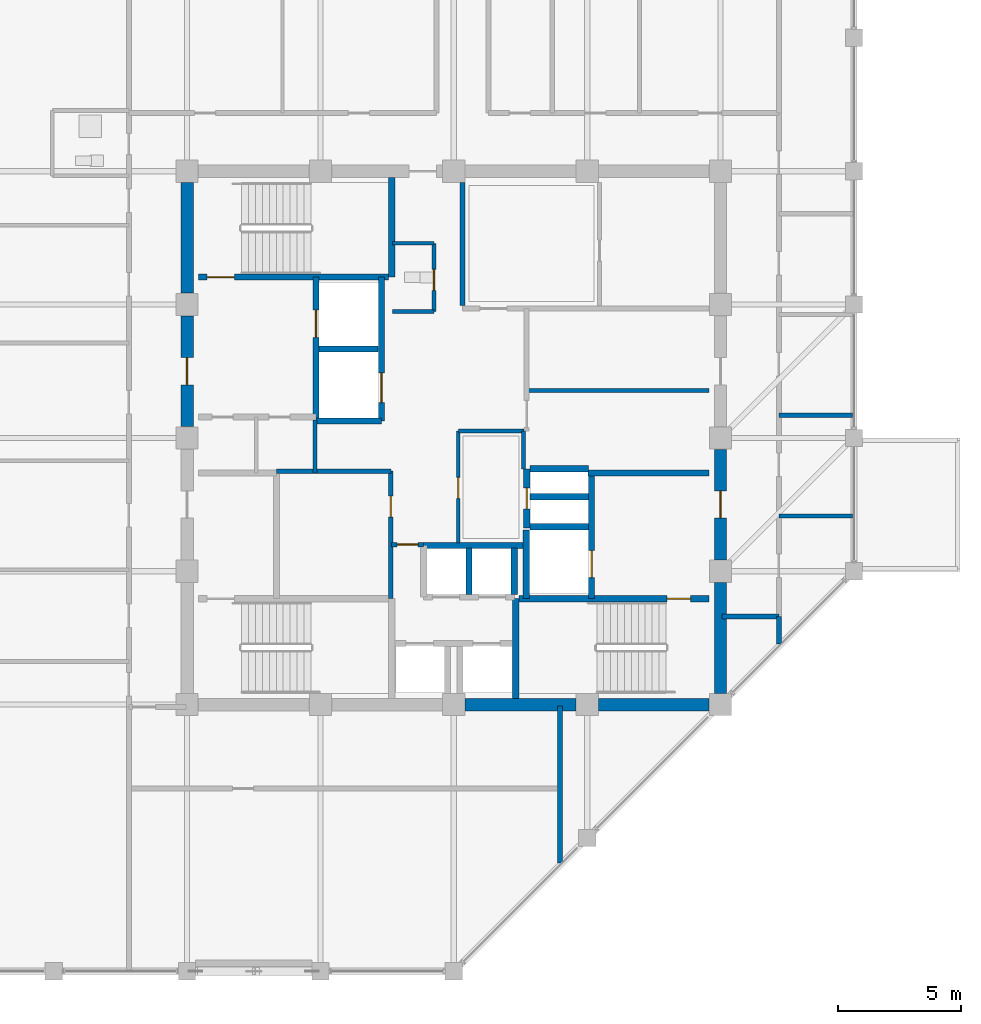
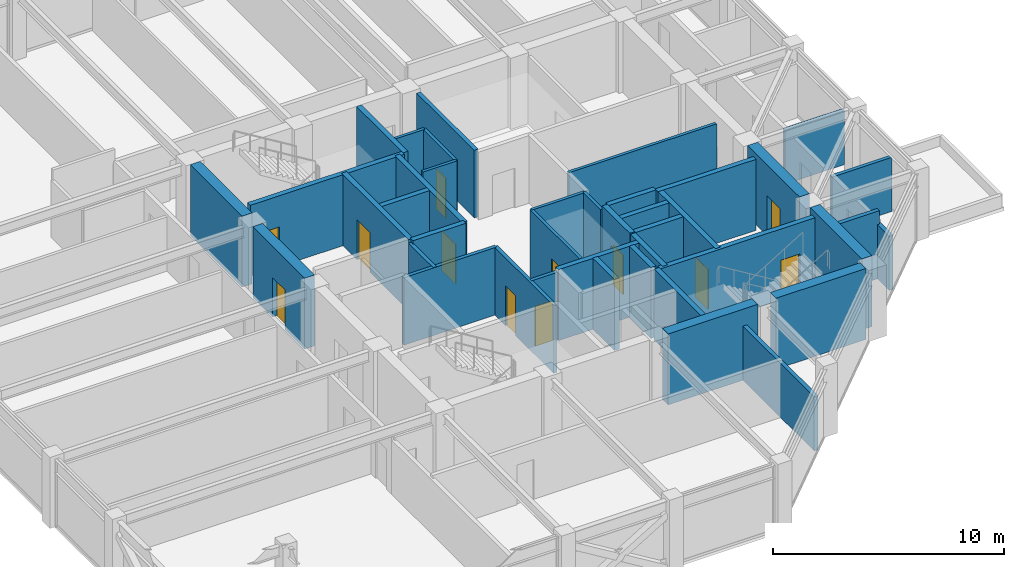
# One storey, part 25 of 29: 41 walls, 12 doors, 12 openings.
"""IFC4 building model written with IfcOpenShell, lengths in metres."""

from ifc_helpers import new_model, si_unit, direction, frame, frame_2d, origin, place, context, subcontext, project, spatial, rectangle, extrude, material, layer, layer_set, type_object, element, fill, save


model = new_model("IFC4")

# Units and contexts
model_context = context("Model", 3, precision=1e-05, world=origin(), true_north=direction((0.0, 1.0)))
body_context = subcontext(model_context, "Body", "Model", "MODEL_VIEW")
ifc_project = project(units=[si_unit("LENGTHUNIT", "METRE"), si_unit("AREAUNIT", "SQUARE_METRE"), si_unit("VOLUMEUNIT", "CUBIC_METRE"), si_unit("PLANEANGLEUNIT", "RADIAN"), si_unit("MASSUNIT", "GRAM", prefix="KILO")], contexts=[model_context])

# Site, building, storey
site_placement = place(None, origin())
site = spatial("IfcSite", under=ifc_project, at=site_placement, CompositionType="ELEMENT")
building_placement = place(site_placement, origin())
building = spatial("IfcBuilding", under=site, at=building_placement, Name="Surkhivell Harbour Commons", CompositionType="ELEMENT")
storey_placement = place(building_placement, frame((0.0, 0.0, 326.25)))
storey = spatial("IfcBuildingStorey", under=building, at=storey_placement, Name="L85", CompositionType="ELEMENT", Elevation=326.25)

# Wall
ifc_material_1 = material(Name="Concrete C50/60", Category="concrete")
ifc_layer_1 = layer(ifc_material_1, 0.5)
ifc_layer_set_1 = layer_set([ifc_layer_1], Name="Concrete C50/60")
wall_type_1 = type_object("IfcWallType", Name="WAL-CORE-500", PredefinedType="SHEAR", material=ifc_layer_set_1)
wall_1_placement = place(storey_placement, frame((10.800048828125, -10.340087890625, 0.0), z_axis=(0.0, 0.0, 1.0), x_axis=(0.0, 1.0, 0.0)))
element("IfcWall", 1, at=wall_1_placement, inside=storey, type_object=wall_type_1, Name="L85 Core Shear Wall East 1", PredefinedType="SHEAR", context=body_context, shape_type="SweptSolid", body=[
    extrude(rectangle(XDim=4.47998046875, YDim=0.5, at=frame_2d((2.239990234375, 0.0))), origin(), (0.0, 0.0, 1.0), 3.75),
])

# Wall, opening, door
wall_2_placement = place(storey_placement, frame((10.800048828125, -4.93994140625, 0.0), z_axis=(0.0, 0.0, 1.0), x_axis=(0.0, 1.0, 0.0)))
wall_2 = element("IfcWall", 2, at=wall_2_placement, inside=storey, type_object=wall_type_1, Name="L85 Core Shear Wall East 2", PredefinedType="SHEAR", context=body_context, shape_type="SweptSolid", body=[
    extrude(rectangle(XDim=4.47998046875, YDim=0.5, at=frame_2d((2.239990234375, 0.0))), origin(), (0.0, 0.0, 1.0), 3.75),
])
opening_1_placement = place(wall_2_placement, frame((1.68994140625, 0.0, 0.0)))
opening_1 = element("IfcOpeningElement", 3, at=opening_1_placement, cuts=wall_2, Name="Opening ID-1", PredefinedType="OPENING", context=body_context, shape_type="SweptSolid", body=[
    extrude(rectangle(XDim=1.10009765625, YDim=2.10009765625, at=frame_2d((0.550048828125, 1.050048828125))), frame((0.0, 0.260009765625, 0.0), z_axis=(0.0, -1.0, 0.0), x_axis=(1.0, 0.0, 0.0)), (0.0, 0.0, 1.0), 0.52001953125),
])
ifc_material_2 = material(Name="Hardwood-veneered fire-rated door leaf", Category="wood")
door_type_1 = type_object("IfcDoorType", Name="DOR-FD120-1100", OperationType="NOTDEFINED", PredefinedType="DOOR", material=ifc_material_2)
door_1_placement = place(opening_1_placement, origin())
door_1 = element("IfcDoor", 4, at=door_1_placement, inside=storey, type_object=door_type_1, Name="L85 Firefighting Lobby 2 Corridor Door", OperationType="SINGLE_SWING_RIGHT", OverallHeight=2.10009765625, OverallWidth=1.10009765625, PredefinedType="DOOR", context=body_context, shape_type="SweptSolid", body=[
    extrude(rectangle(XDim=1.10009765625, YDim=2.10009765625, at=frame_2d((0.550048828125, 1.050048828125))), frame((0.0, 0.02490234375, 0.0), z_axis=(0.0, -1.0, 0.0), x_axis=(1.0, 0.0, 0.0)), (0.0, 0.0, 1.0), 0.050048828125),
])
fill(opening_1, door_1)

# Wall
wall_3_placement = place(storey_placement, frame((0.4599609375, -10.800048828125, 0.0), z_axis=(0.0, 0.0, 1.0), x_axis=(1.0, 0.0, 0.0)))
element("IfcWall", 5, at=wall_3_placement, inside=storey, type_object=wall_type_1, Name="L85 Core Shear Wall South 3", PredefinedType="SHEAR", context=body_context, shape_type="SweptSolid", body=[
    extrude(rectangle(XDim=4.47998046875, YDim=0.5, at=frame_2d((2.239990234375, 0.0))), origin(), (0.0, 0.0, 1.0), 3.75),
])

# Wall, opening, door
wall_4_placement = place(storey_placement, frame((-10.800048828125, 0.4599609375, 0.0), z_axis=(0.0, 0.0, 1.0), x_axis=(0.0, 1.0, 0.0)))
wall_4 = element("IfcWall", 6, at=wall_4_placement, inside=storey, type_object=wall_type_1, Name="L85 Core Shear Wall West 3", PredefinedType="SHEAR", context=body_context, shape_type="SweptSolid", body=[
    extrude(rectangle(XDim=4.47998046875, YDim=0.5, at=frame_2d((2.239990234375, 0.0))), origin(), (0.0, 0.0, 1.0), 3.75),
])
opening_2_placement = place(wall_4_placement, frame((1.68994140625, 0.0, 0.0)))
opening_2 = element("IfcOpeningElement", 7, at=opening_2_placement, cuts=wall_4, Name="Opening ID-1", PredefinedType="OPENING", context=body_context, shape_type="SweptSolid", body=[
    extrude(rectangle(XDim=1.10009765625, YDim=2.10009765625, at=frame_2d((0.550048828125, 1.050048828125))), frame((0.0, 0.260009765625, 0.0), z_axis=(0.0, -1.0, 0.0), x_axis=(1.0, 0.0, 0.0)), (0.0, 0.0, 1.0), 0.52001953125),
])
door_2_placement = place(opening_2_placement, origin())
door_2 = element("IfcDoor", 8, at=door_2_placement, inside=storey, type_object=door_type_1, Name="L85 Firefighting Lobby 1 Corridor Door", OperationType="SINGLE_SWING_LEFT", OverallHeight=2.10009765625, OverallWidth=1.10009765625, PredefinedType="DOOR", context=body_context, shape_type="SweptSolid", body=[
    extrude(rectangle(XDim=1.10009765625, YDim=2.10009765625, at=frame_2d((0.550048828125, 1.050048828125))), frame((0.0, 0.02490234375, 0.0), z_axis=(0.0, -1.0, 0.0), x_axis=(1.0, 0.0, 0.0)), (0.0, 0.0, 1.0), 0.050048828125),
])
fill(opening_2, door_2)

# Walls
for number, where, z_axis, x_axis, name in (
    (9, (5.860107421875, -10.800048828125, 0.0), (0.0, 0.0, 1.0), (1.0, 0.0, 0.0), "L85 Core Shear Wall South 4"),
    (10, (-10.800048828125, 5.860107421875, 0.0), (0.0, 0.0, 1.0), (0.0, 1.0, 0.0), "L85 Core Shear Wall West 4"),
):
    element("IfcWall", number, at=place(storey_placement, frame(where, z_axis=z_axis, x_axis=x_axis)), inside=storey, type_object=wall_type_1, Name=name, PredefinedType="SHEAR", context=body_context, shape_type="SweptSolid", body=[
        extrude(rectangle(XDim=4.47998046875, YDim=0.5, at=frame_2d((2.239990234375, 0.0))), origin(), (0.0, 0.0, 1.0), 3.75),
    ])

# Wall, opening, door
ifc_material_3 = material(Name="Twin-stud acoustic fireboard partition", Category="other")
ifc_layer_2 = layer(ifc_material_3, 0.14990234375)
ifc_layer_set_2 = layer_set([ifc_layer_2], Name="Twin-stud acoustic fireboard partition")
wall_type_2 = type_object("IfcWallType", Name="WAL-INT-150", PredefinedType="PARTITIONING", material=ifc_layer_set_2)
wall_5_placement = place(storey_placement, frame((-0.800048828125, 5.1201171875, 0.0), z_axis=(0.0, 0.0, 1.0), x_axis=(0.0, 1.0, 0.0)))
wall_5 = element("IfcWall", 11, at=wall_5_placement, inside=storey, type_object=wall_type_2, Name="L85 Core Accessible WC East Wall", PredefinedType="PARTITIONING", context=body_context, shape_type="SweptSolid", body=[
    extrude(rectangle(XDim=2.759765625, YDim=0.14990234375, at=frame_2d((1.3798828125, 0.0))), origin(), (0.0, 0.0, 1.0), 3.570068359375),
])
opening_3_placement = place(wall_5_placement, frame((0.85009765625, 0.0, 0.0)))
opening_3 = element("IfcOpeningElement", 12, at=opening_3_placement, cuts=wall_5, Name="Opening ID-6", PredefinedType="OPENING", context=body_context, shape_type="SweptSolid", body=[
    extrude(rectangle(XDim=0.85009765625, YDim=2.10009765625, at=frame_2d((0.425048828125, 1.050048828125))), frame((0.0, 0.0849609375, 0.0), z_axis=(0.0, -1.0, 0.0), x_axis=(1.0, 0.0, 0.0)), (0.0, 0.0, 1.0), 0.169921875),
])
door_type_2 = type_object("IfcDoorType", Name="DOR-FD30-850", OperationType="NOTDEFINED", PredefinedType="DOOR", material=ifc_material_2)
door_3_placement = place(opening_3_placement, origin())
door_3 = element("IfcDoor", 13, at=door_3_placement, inside=storey, type_object=door_type_2, Name="L85 Floor Accessible WC Door", OperationType="SINGLE_SWING_LEFT", OverallHeight=2.10009765625, OverallWidth=0.85009765625, PredefinedType="DOOR", context=body_context, shape_type="SweptSolid", body=[
    extrude(rectangle(XDim=0.85009765625, YDim=2.10009765625, at=frame_2d((0.425048828125, 1.050048828125))), frame((0.0, 0.02490234375, 0.0), z_axis=(0.0, -1.0, 0.0), x_axis=(1.0, 0.0, 0.0)), (0.0, 0.0, 1.0), 0.050048828125),
])
fill(opening_3, door_3)

# Walls
for number, where, z_axis, x_axis, name in (
    (14, (-2.47998046875, 7.8798828125, 0.0), (0.0, 0.0, 1.0), (1.0, 0.0, 0.0), "L85 Core Accessible WC North Wall"),
    (15, (-2.47998046875, 5.1201171875, 0.0), (0.0, 0.0, 1.0), (1.0, 0.0, 0.0), "L85 Core Accessible WC South Wall"),
):
    element("IfcWall", number, at=place(storey_placement, frame(where, z_axis=z_axis, x_axis=x_axis)), inside=storey, type_object=wall_type_2, Name=name, PredefinedType="PARTITIONING", context=body_context, shape_type="SweptSolid", body=[
        extrude(rectangle(XDim=1.679931640625, YDim=0.14990234375, at=frame_2d((0.83984375, 0.0))), origin(), (0.0, 0.0, 1.0), 3.570068359375),
    ])
wall_6_placement = place(storey_placement, frame((2.820068359375, -1.25, 0.0), z_axis=(0.0, 0.0, 1.0), x_axis=(0.0, 1.0, 0.0)))
element("IfcWall", 16, at=wall_6_placement, inside=storey, type_object=wall_type_2, Name="L85 Central Music East Wall", PredefinedType="PARTITIONING", context=body_context, shape_type="SweptSolid", body=[
    extrude(rectangle(XDim=1.530029296875, YDim=0.14990234375, at=frame_2d((0.76513671875, 0.0))), origin(), (0.0, 0.0, 1.0), 3.570068359375),
])
wall_7_placement = place(storey_placement, frame((0.179931640625, 0.280029296875, 0.0), z_axis=(0.0, 0.0, 1.0), x_axis=(1.0, 0.0, 0.0)))
element("IfcWall", 17, at=wall_7_placement, inside=storey, type_object=wall_type_2, Name="L85 Central Music North Wall", PredefinedType="PARTITIONING", context=body_context, shape_type="SweptSolid", body=[
    extrude(rectangle(XDim=2.670166015625, YDim=0.14990234375, at=frame_2d((1.3349609375, 0.0))), origin(), (0.0, 0.0, 1.0), 3.570068359375),
])

# Wall, opening, door
wall_8_placement = place(storey_placement, frame((0.179931640625, -4.25, 0.0), z_axis=(0.0, 0.0, 1.0), x_axis=(0.0, 1.0, 0.0)))
wall_8 = element("IfcWall", 18, at=wall_8_placement, inside=storey, type_object=wall_type_2, Name="L85 Central Music West Wall", PredefinedType="PARTITIONING", context=body_context, shape_type="SweptSolid", body=[
    extrude(rectangle(XDim=4.530029296875, YDim=0.14990234375, at=frame_2d((2.26513671875, 0.0))), origin(), (0.0, 0.0, 1.0), 3.570068359375),
])
opening_4_placement = place(wall_8_placement, frame((1.800048828125, 0.0, 0.0)))
opening_4 = element("IfcOpeningElement", 19, at=opening_4_placement, cuts=wall_8, Name="Opening ID-6", PredefinedType="OPENING", context=body_context, shape_type="SweptSolid", body=[
    extrude(rectangle(XDim=0.85009765625, YDim=2.10009765625, at=frame_2d((0.425048828125, 1.050048828125))), frame((0.0, 0.0849609375, 0.0), z_axis=(0.0, -1.0, 0.0), x_axis=(1.0, 0.0, 0.0)), (0.0, 0.0, 1.0), 0.169921875),
])
door_4_placement = place(opening_4_placement, origin())
door_4 = element("IfcDoor", 20, at=door_4_placement, inside=storey, type_object=door_type_2, Name="L85 Central Music Door", OperationType="SINGLE_SWING_RIGHT", OverallHeight=2.10009765625, OverallWidth=0.85009765625, PredefinedType="DOOR", context=body_context, shape_type="SweptSolid", body=[
    extrude(rectangle(XDim=0.85009765625, YDim=2.10009765625, at=frame_2d((0.425048828125, 1.050048828125))), frame((0.0, 0.02490234375, 0.0), z_axis=(0.0, -1.0, 0.0), x_axis=(1.0, 0.0, 0.0)), (0.0, 0.0, 1.0), 0.050048828125),
])
fill(opening_4, door_4)

# Wall
wall_9_placement = place(storey_placement, frame((2.949951171875, 1.919921875, 0.0), z_axis=(0.0, 0.0, 1.0), x_axis=(1.0, 0.0, 0.0)))
element("IfcWall", 21, at=wall_9_placement, inside=storey, type_object=wall_type_2, Name="L85 Quiet Study Wall", PredefinedType="PARTITIONING", context=body_context, shape_type="SweptSolid", body=[
    extrude(rectangle(XDim=7.39013671875, YDim=0.14990234375, at=frame_2d((3.695068359375, 0.0))), origin(), (0.0, 0.0, 1.0), 3.570068359375),
])

# Wall, opening, door
ifc_material_4 = material(Name="High-density acoustic blockwork fire partition", Category="masonry")
ifc_layer_3 = layer(ifc_material_4, 0.175048828125)
ifc_layer_set_3 = layer_set([ifc_layer_3], Name="High-density acoustic blockwork fire partition")
wall_type_3 = type_object("IfcWallType", Name="WAL-INT-175", PredefinedType="PARTITIONING", material=ifc_layer_set_3)
wall_10_placement = place(storey_placement, frame((-2.550048828125, -6.510009765625, 0.0), z_axis=(0.0, 0.0, 1.0), x_axis=(0.0, 1.0, 0.0)))
wall_10 = element("IfcWall", 22, at=wall_10_placement, inside=storey, type_object=wall_type_3, Name="L85 Core Service Bay East Wall", PredefinedType="PARTITIONING", context=body_context, shape_type="SweptSolid", body=[
    extrude(rectangle(XDim=5.159912109375, YDim=0.175048828125, at=frame_2d((2.580078125, 0.0))), origin(), (0.0, 0.0, 1.0), 3.570068359375),
])
opening_5_placement = place(wall_10_placement, frame((3.300048828125, 0.0, 0.0)))
opening_5 = element("IfcOpeningElement", 23, at=opening_5_placement, cuts=wall_10, Name="Opening ID-6", PredefinedType="OPENING", context=body_context, shape_type="SweptSolid", body=[
    extrude(rectangle(XDim=0.85009765625, YDim=2.10009765625, at=frame_2d((0.425048828125, 1.050048828125))), frame((0.0, 0.097412109375, 0.0), z_axis=(0.0, -1.0, 0.0), x_axis=(1.0, 0.0, 0.0)), (0.0, 0.0, 1.0), 0.195068359375),
])
door_5_placement = place(opening_5_placement, origin())
door_5 = element("IfcDoor", 24, at=door_5_placement, inside=storey, type_object=door_type_2, Name="L85 Core Quiet Reading Door", OperationType="SINGLE_SWING_RIGHT", OverallHeight=2.10009765625, OverallWidth=0.85009765625, PredefinedType="DOOR", context=body_context, shape_type="SweptSolid", body=[
    extrude(rectangle(XDim=0.85009765625, YDim=2.10009765625, at=frame_2d((0.425048828125, 1.050048828125))), frame((0.0, 0.02490234375, 0.0), z_axis=(0.0, -1.0, 0.0), x_axis=(1.0, 0.0, 0.0)), (0.0, 0.0, 1.0), 0.050048828125),
])
fill(opening_5, door_5)

# Walls
wall_11_placement = place(storey_placement, frame((-7.179931640625, -1.35009765625, 0.0), z_axis=(0.0, 0.0, 1.0), x_axis=(1.0, 0.0, 0.0)))
element("IfcWall", 25, at=wall_11_placement, inside=storey, type_object=wall_type_3, Name="L85 Core Service Bay North Wall", PredefinedType="PARTITIONING", context=body_context, shape_type="SweptSolid", body=[
    extrude(rectangle(XDim=4.6298828125, YDim=0.175048828125, at=frame_2d((2.31494140625, 0.0))), origin(), (0.0, 0.0, 1.0), 3.570068359375),
])
wall_12_placement = place(storey_placement, frame((-5.6201171875, -1.419921875, 0.0), z_axis=(0.0, 0.0, 1.0), x_axis=(0.0, 1.0, 0.0)))
element("IfcWall", 26, at=wall_12_placement, inside=storey, type_object=wall_type_3, Name="L85 West Core Bay East Wall", PredefinedType="PARTITIONING", context=body_context, shape_type="SweptSolid", body=[
    extrude(rectangle(XDim=2.139892578125, YDim=0.175048828125, at=frame_2d((1.06982421875, 0.0))), origin(), (0.0, 0.0, 1.0), 3.570068359375),
])

# Wall, opening, door
wall_13_placement = place(storey_placement, frame((-2.52001953125, -4.320068359375, 0.0), z_axis=(0.0, 0.0, 1.0), x_axis=(1.0, 0.0, 0.0)))
wall_13 = element("IfcWall", 27, at=wall_13_placement, inside=storey, type_object=wall_type_3, Name="L85 High-Rise Lobby North Portal Wall", PredefinedType="PARTITIONING", context=body_context, shape_type="SweptSolid", body=[
    extrude(rectangle(XDim=1.300048828125, YDim=0.175048828125, at=frame_2d((0.64990234375, 0.0))), origin(), (0.0, 0.0, 1.0), 3.570068359375),
])
opening_6_placement = place(wall_13_placement, frame((0.219970703125, 0.0, 0.0)))
opening_6 = element("IfcOpeningElement", 28, at=opening_6_placement, cuts=wall_13, Name="Opening ID-6", PredefinedType="OPENING", context=body_context, shape_type="SweptSolid", body=[
    extrude(rectangle(XDim=0.85009765625, YDim=2.10009765625, at=frame_2d((0.425048828125, 1.050048828125))), frame((0.0, 0.097412109375, 0.0), z_axis=(0.0, -1.0, 0.0), x_axis=(1.0, 0.0, 0.0)), (0.0, 0.0, 1.0), 0.195068359375),
])
door_6_placement = place(opening_6_placement, origin())
door_6 = element("IfcDoor", 29, at=door_6_placement, inside=storey, type_object=door_type_2, Name="L85 High-Rise Lift Lobby North Door", OperationType="SINGLE_SWING_LEFT", OverallHeight=2.10009765625, OverallWidth=0.85009765625, PredefinedType="DOOR", context=body_context, shape_type="SweptSolid", body=[
    extrude(rectangle(XDim=0.85009765625, YDim=2.10009765625, at=frame_2d((0.425048828125, 1.050048828125))), frame((0.0, 0.02490234375, 0.0), z_axis=(0.0, -1.0, 0.0), x_axis=(1.0, 0.0, 0.0)), (0.0, 0.0, 1.0), 0.050048828125),
])
fill(opening_6, door_6)

# Walls
for number, where, z_axis, x_axis, name in (
    (30, (13.159912109375, -3.159912109375, 0.0), (0.0, 0.0, 1.0), (1.0, 0.0, 0.0), "L85 East Partition P1"),
    (31, (13.159912109375, 0.919921875, 0.0), (0.0, 0.0, 1.0), (1.0, 0.0, 0.0), "L85 East Partition P2"),
):
    element("IfcWall", number, at=place(storey_placement, frame(where, z_axis=z_axis, x_axis=x_axis)), inside=storey, type_object=wall_type_3, Name=name, PredefinedType="PARTITIONING", context=body_context, shape_type="SweptSolid", body=[
        extrude(rectangle(XDim=2.97998046875, YDim=0.175048828125, at=frame_2d((1.489990234375, 0.0))), origin(), (0.0, 0.0, 1.0), 2.85693359375),
    ])
ifc_material_5 = material(Name="Autoclaved aerated concrete blockwork and fire plaster", Category="masonry")
ifc_layer_4 = layer(ifc_material_5, 0.199951171875)
ifc_layer_set_4 = layer_set([ifc_layer_4], Name="Autoclaved aerated concrete blockwork and fire plaster")
wall_type_4 = type_object("IfcWallType", Name="WAL-INT-200", PredefinedType="PARTITIONING", material=ifc_layer_set_4)
wall_14_placement = place(storey_placement, frame((0.35009765625, 5.360107421875, 0.0), z_axis=(0.0, 0.0, 1.0), x_axis=(0.0, 1.0, 0.0)))
element("IfcWall", 32, at=wall_14_placement, inside=storey, type_object=wall_type_4, Name="L85 Reclaimed Core North Bay West Wall", PredefinedType="PARTITIONING", context=body_context, shape_type="SweptSolid", body=[
    extrude(rectangle(XDim=4.97998046875, YDim=0.199951171875, at=frame_2d((2.489990234375, 0.0))), origin(), (0.0, 0.0, 1.0), 3.570068359375),
])
wall_15_placement = place(storey_placement, frame((13.159912109375, -8.355224609375, 0.0), z_axis=(0.0, 0.0, 1.0), x_axis=(0.0, 1.0, 0.0)))
element("IfcWall", 33, at=wall_15_placement, inside=storey, type_object=wall_type_4, Name="L85 East Wing South Closure Wall", PredefinedType="PARTITIONING", context=body_context, shape_type="SweptSolid", body=[
    extrude(rectangle(XDim=1.115234375, YDim=0.199951171875, at=frame_2d((0.5576171875, 0.0))), origin(), (0.0, 0.0, 1.0), 2.85693359375),
])
wall_16_placement = place(storey_placement, frame((10.85009765625, -7.239990234375, 0.0), z_axis=(0.0, 0.0, 1.0), x_axis=(1.0, 0.0, 0.0)))
element("IfcWall", 34, at=wall_16_placement, inside=storey, type_object=wall_type_4, Name="L85 East Corridor South Closure Wall", PredefinedType="PARTITIONING", context=body_context, shape_type="SweptSolid", body=[
    extrude(rectangle(XDim=2.309814453125, YDim=0.199951171875, at=frame_2d((1.15478515625, 0.0))), origin(), (0.0, 0.0, 1.0), 3.570068359375),
])
wall_17_placement = place(storey_placement, frame((4.300048828125, -17.215087890625, 0.0), z_axis=(0.0, 0.0, 1.0), x_axis=(0.0, 1.0, 0.0)))
element("IfcWall", 35, at=wall_17_placement, inside=storey, type_object=wall_type_4, Name="L85 South Hall East Wall", PredefinedType="PARTITIONING", context=body_context, shape_type="SweptSolid", body=[
    extrude(rectangle(XDim=6.364990234375, YDim=0.199951171875, at=frame_2d((3.1826171875, 0.0))), origin(), (0.0, 0.0, 1.0), 2.85693359375),
])

# Wall, opening, door
ifc_layer_5 = layer(ifc_material_1, 0.25)
ifc_layer_set_5 = layer_set([ifc_layer_5], Name="Concrete C50/60")
wall_type_5 = type_object("IfcWallType", Name="WAL-SHAFT-250", PredefinedType="SHEAR", material=ifc_layer_set_5)
wall_18_placement = place(storey_placement, frame((-5.580078125, 0.719970703125, 0.0), z_axis=(0.0, 0.0, 1.0), x_axis=(0.0, 1.0, 0.0)))
wall_18 = element("IfcWall", 36, at=wall_18_placement, inside=storey, type_object=wall_type_5, Name="L85 Firefighting Lobby 1 East Shaft Wall", PredefinedType="SHEAR", context=body_context, shape_type="SweptSolid", body=[
    extrude(rectangle(XDim=5.7900390625, YDim=0.25, at=frame_2d((2.89501953125, 0.0))), origin(), (0.0, 0.0, 1.0), 3.75),
])
opening_7_placement = place(wall_18_placement, frame((3.35009765625, 0.0, 0.0)))
opening_7 = element("IfcOpeningElement", 37, at=opening_7_placement, cuts=wall_18, Name="Opening LD-1", PredefinedType="OPENING", context=body_context, shape_type="SweptSolid", body=[
    extrude(rectangle(XDim=1.10009765625, YDim=2.10009765625, at=frame_2d((0.550048828125, 1.050048828125))), frame((0.0, 0.135009765625, 0.0), z_axis=(0.0, -1.0, 0.0), x_axis=(1.0, 0.0, 0.0)), (0.0, 0.0, 1.0), 0.27001953125),
])
ifc_material_6 = material(Name="Brushed stainless steel S355", Category="steel")
door_type_3 = type_object("IfcDoorType", Name="DOR-LD-1100", OperationType="SLIDING_TO_LEFT", PredefinedType="DOOR", material=ifc_material_6)
door_7_placement = place(opening_7_placement, origin())
door_7 = element("IfcDoor", 38, at=door_7_placement, inside=storey, type_object=door_type_3, Name="L85 Lift Landing Door LD-FFL1", OperationType="SLIDING_TO_LEFT", OverallHeight=2.10009765625, OverallWidth=1.10009765625, PredefinedType="DOOR", context=body_context, shape_type="SweptSolid", body=[
    extrude(rectangle(XDim=1.10009765625, YDim=2.10009765625, at=frame_2d((0.550048828125, 1.050048828125))), frame((0.0, 0.02490234375, 0.0), z_axis=(0.0, -1.0, 0.0), x_axis=(1.0, 0.0, 0.0)), (0.0, 0.0, 1.0), 0.050048828125),
])
fill(opening_7, door_7)

# Walls
wall_19_placement = place(storey_placement, frame((2.929931640625, -6.510009765625, 0.0), z_axis=(0.0, 0.0, 1.0), x_axis=(0.0, 1.0, 0.0)))
element("IfcWall", 39, at=wall_19_placement, inside=storey, type_object=wall_type_5, Name="L85 FFL2 West Shaft Wall", PredefinedType="SHEAR", context=body_context, shape_type="SweptSolid", body=[
    extrude(rectangle(XDim=2.7900390625, YDim=0.25, at=frame_2d((1.39501953125, 0.0))), origin(), (0.0, 0.0, 1.0), 3.75),
])
wall_20_placement = place(storey_placement, frame((5.43994140625, -1.419921875, 0.0), z_axis=(0.0, 0.0, 1.0), x_axis=(1.0, 0.0, 0.0)))
element("IfcWall", 40, at=wall_20_placement, inside=storey, type_object=wall_type_5, Name="L85 Firefighting Lobby 2 North Wall", PredefinedType="SHEAR", context=body_context, shape_type="SweptSolid", body=[
    extrude(rectangle(XDim=4.900146484375, YDim=0.25, at=frame_2d((2.4501953125, 0.0))), origin(), (0.0, 0.0, 1.0), 3.75),
])
wall_21_placement = place(storey_placement, frame((3.080078125, -3.60009765625, 0.0), z_axis=(0.0, 0.0, 1.0), x_axis=(1.0, 0.0, 0.0)))
element("IfcWall", 41, at=wall_21_placement, inside=storey, type_object=wall_type_5, Name="L85 FFL2 North Shaft Wall", PredefinedType="SHEAR", context=body_context, shape_type="SweptSolid", body=[
    extrude(rectangle(XDim=2.369873046875, YDim=0.25, at=frame_2d((1.18505859375, 0.0))), origin(), (0.0, 0.0, 1.0), 3.75),
])

# Wall, opening, door
wall_22_placement = place(storey_placement, frame((5.580078125, -6.510009765625, 0.0), z_axis=(0.0, 0.0, 1.0), x_axis=(0.0, 1.0, 0.0)))
wall_22 = element("IfcWall", 42, at=wall_22_placement, inside=storey, type_object=wall_type_5, Name="L85 Firefighting Lobby 2 West Shaft Wall", PredefinedType="SHEAR", context=body_context, shape_type="SweptSolid", body=[
    extrude(rectangle(XDim=5.090087890625, YDim=0.25, at=frame_2d((2.544921875, 0.0))), origin(), (0.0, 0.0, 1.0), 3.75),
])
opening_8_placement = place(wall_22_placement, frame((0.85009765625, 0.0, 0.0)))
opening_8 = element("IfcOpeningElement", 43, at=opening_8_placement, cuts=wall_22, Name="Opening LD-1", PredefinedType="OPENING", context=body_context, shape_type="SweptSolid", body=[
    extrude(rectangle(XDim=1.10009765625, YDim=2.10009765625, at=frame_2d((0.550048828125, 1.050048828125))), frame((0.0, 0.135009765625, 0.0), z_axis=(0.0, -1.0, 0.0), x_axis=(1.0, 0.0, 0.0)), (0.0, 0.0, 1.0), 0.27001953125),
])
door_8_placement = place(opening_8_placement, origin())
door_8 = element("IfcDoor", 44, at=door_8_placement, inside=storey, type_object=door_type_3, Name="L85 Lift Landing Door LD-FFL2", OperationType="SLIDING_TO_RIGHT", OverallHeight=2.10009765625, OverallWidth=1.10009765625, PredefinedType="DOOR", context=body_context, shape_type="SweptSolid", body=[
    extrude(rectangle(XDim=1.10009765625, YDim=2.10009765625, at=frame_2d((0.550048828125, 1.050048828125))), frame((0.0, 0.02490234375, 0.0), z_axis=(0.0, -1.0, 0.0), x_axis=(1.0, 0.0, 0.0)), (0.0, 0.0, 1.0), 0.050048828125),
])
fill(opening_8, door_8)

# Walls
for number, where, z_axis, x_axis, name in (
    (45, (0.6201171875, -6.340087890625, 0.0), (0.0, 0.0, 1.0), (0.0, 1.0, 0.0), "L85 High-Rise Side Wall N"),
    (46, (2.449951171875, -6.340087890625, 0.0), (0.0, 0.0, 1.0), (0.0, 1.0, 0.0), "L85 High-Rise Side Wall N"),
):
    element("IfcWall", number, at=place(storey_placement, frame(where, z_axis=z_axis, x_axis=x_axis)), inside=storey, type_object=wall_type_5, Name=name, PredefinedType="SHEAR", context=body_context, shape_type="SweptSolid", body=[
        extrude(rectangle(XDim=1.880126953125, YDim=0.25, at=frame_2d((0.93994140625, 0.0))), origin(), (0.0, 0.0, 1.0), 3.75),
    ])
wall_23_placement = place(storey_placement, frame((-1.219970703125, -4.360107421875, 0.0), z_axis=(0.0, 0.0, 1.0), x_axis=(1.0, 0.0, 0.0)))
element("IfcWall", 47, at=wall_23_placement, inside=storey, type_object=wall_type_5, Name="L85 High-Rise North Back Shaft Wall", PredefinedType="SHEAR", context=body_context, shape_type="SweptSolid", body=[
    extrude(rectangle(XDim=4.030029296875, YDim=0.25, at=frame_2d((2.01513671875, 0.0))), origin(), (0.0, 0.0, 1.0), 3.75),
])
for number, where, z_axis, x_axis, name in (
    (48, (3.080078125, -2.3798828125, 0.0), (0.0, 0.0, 1.0), (1.0, 0.0, 0.0), "L85 Riser Divider Wall"),
    (49, (3.080078125, -1.25, 0.0), (0.0, 0.0, 1.0), (1.0, 0.0, 0.0), "L85 Riser North Wall"),
):
    element("IfcWall", number, at=place(storey_placement, frame(where, z_axis=z_axis, x_axis=x_axis)), inside=storey, type_object=wall_type_5, Name=name, PredefinedType="SHEAR", context=body_context, shape_type="SweptSolid", body=[
        extrude(rectangle(XDim=2.369873046875, YDim=0.25, at=frame_2d((1.18505859375, 0.0))), origin(), (0.0, 0.0, 1.0), 3.75),
    ])

# Wall, opening, door
wall_24_placement = place(storey_placement, frame((2.949951171875, -3.64990234375, 0.0), z_axis=(0.0, 0.0, 1.0), x_axis=(0.0, 1.0, 0.0)))
wall_24 = element("IfcWall", 50, at=wall_24_placement, inside=storey, type_object=wall_type_5, Name="L85 Riser Shaft West Wall", PredefinedType="SHEAR", context=body_context, shape_type="SweptSolid", body=[
    extrude(rectangle(XDim=2.39990234375, YDim=0.25, at=frame_2d((1.199951171875, 0.0))), origin(), (0.0, 0.0, 1.0), 3.75),
])
opening_9_placement = place(wall_24_placement, frame((0.77490234375, 0.0, 0.0)))
opening_9 = element("IfcOpeningElement", 51, at=opening_9_placement, cuts=wall_24, Name="Opening ID-6", PredefinedType="OPENING", context=body_context, shape_type="SweptSolid", body=[
    extrude(rectangle(XDim=0.85009765625, YDim=2.10009765625, at=frame_2d((0.425048828125, 1.050048828125))), frame((0.0, 0.135009765625, 0.0), z_axis=(0.0, -1.0, 0.0), x_axis=(1.0, 0.0, 0.0)), (0.0, 0.0, 1.0), 0.27001953125),
])
door_9_placement = place(opening_9_placement, origin())
door_9 = element("IfcDoor", 52, at=door_9_placement, inside=storey, type_object=door_type_2, Name="L85 Electrical Riser Access Door", OperationType="SINGLE_SWING_LEFT", OverallHeight=2.10009765625, OverallWidth=0.85009765625, PredefinedType="DOOR", context=body_context, shape_type="SweptSolid", body=[
    extrude(rectangle(XDim=0.85009765625, YDim=2.10009765625, at=frame_2d((0.425048828125, 1.050048828125))), frame((0.0, 0.02490234375, 0.0), z_axis=(0.0, -1.0, 0.0), x_axis=(1.0, 0.0, 0.0)), (0.0, 0.0, 1.0), 0.050048828125),
])
fill(opening_9, door_9)

# Wall
wall_25_placement = place(storey_placement, frame((-2.510009765625, 6.510009765625, 0.0), z_axis=(0.0, 0.0, 1.0), x_axis=(0.0, 1.0, 0.0)))
element("IfcWall", 53, at=wall_25_placement, inside=storey, type_object=wall_type_5, Name="L85 Stair ST1 East Shear Wall", PredefinedType="SHEAR", context=body_context, shape_type="SweptSolid", body=[
    extrude(rectangle(XDim=4.0400390625, YDim=0.25, at=frame_2d((2.02001953125, 0.0))), origin(), (0.0, 0.0, 1.0), 3.75),
])

# Wall, opening, door
wall_26_placement = place(storey_placement, frame((-10.340087890625, 6.510009765625, 0.0), z_axis=(0.0, 0.0, 1.0), x_axis=(1.0, 0.0, 0.0)))
wall_26 = element("IfcWall", 54, at=wall_26_placement, inside=storey, type_object=wall_type_5, Name="L85 Stair ST1 South Shear Wall", PredefinedType="SHEAR", context=body_context, shape_type="SweptSolid", body=[
    extrude(rectangle(XDim=7.7001953125, YDim=0.25, at=frame_2d((3.85009765625, 0.0))), origin(), (0.0, 0.0, 1.0), 3.75),
])
opening_10_placement = place(wall_26_placement, frame((0.35009765625, 0.0, 0.0)))
opening_10 = element("IfcOpeningElement", 55, at=opening_10_placement, cuts=wall_26, Name="Opening ID-2", PredefinedType="OPENING", context=body_context, shape_type="SweptSolid", body=[
    extrude(rectangle(XDim=1.10009765625, YDim=2.10009765625, at=frame_2d((0.550048828125, 1.050048828125))), frame((0.0, 0.135009765625, 0.0), z_axis=(0.0, -1.0, 0.0), x_axis=(1.0, 0.0, 0.0)), (0.0, 0.0, 1.0), 0.27001953125),
])
door_type_4 = type_object("IfcDoorType", Name="DOR-FD60-1100", OperationType="NOTDEFINED", PredefinedType="DOOR", material=ifc_material_2)
door_10_placement = place(opening_10_placement, origin())
door_10 = element("IfcDoor", 56, at=door_10_placement, inside=storey, type_object=door_type_4, Name="L85 Stair ST1 Exit Door", OperationType="SINGLE_SWING_LEFT", OverallHeight=2.10009765625, OverallWidth=1.10009765625, PredefinedType="DOOR", context=body_context, shape_type="SweptSolid", body=[
    extrude(rectangle(XDim=1.10009765625, YDim=2.10009765625, at=frame_2d((0.550048828125, 1.050048828125))), frame((0.0, 0.02490234375, 0.0), z_axis=(0.0, -1.0, 0.0), x_axis=(1.0, 0.0, 0.0)), (0.0, 0.0, 1.0), 0.050048828125),
])
fill(opening_10, door_10)

wall_27_placement = place(storey_placement, frame((2.639892578125, -6.510009765625, 0.0), z_axis=(0.0, 0.0, 1.0), x_axis=(1.0, 0.0, 0.0)))
wall_27 = element("IfcWall", 57, at=wall_27_placement, inside=storey, type_object=wall_type_5, Name="L85 Stair ST2 North Shear Wall", PredefinedType="SHEAR", context=body_context, shape_type="SweptSolid", body=[
    extrude(rectangle(XDim=7.7001953125, YDim=0.25, at=frame_2d((3.85009765625, 0.0))), origin(), (0.0, 0.0, 1.0), 3.75),
])
opening_11_placement = place(wall_27_placement, frame((6.0, 0.0, 0.0)))
opening_11 = element("IfcOpeningElement", 58, at=opening_11_placement, cuts=wall_27, Name="Opening ID-4", PredefinedType="OPENING", context=body_context, shape_type="SweptSolid", body=[
    extrude(rectangle(XDim=0.949951171875, YDim=2.10009765625, at=frame_2d((0.47509765625, 1.050048828125))), frame((0.0, 0.135009765625, 0.0), z_axis=(0.0, -1.0, 0.0), x_axis=(1.0, 0.0, 0.0)), (0.0, 0.0, 1.0), 0.27001953125),
])
door_type_5 = type_object("IfcDoorType", Name="DOR-FD60-950", OperationType="NOTDEFINED", PredefinedType="DOOR", material=ifc_material_2)
door_11_placement = place(opening_11_placement, origin())
door_11 = element("IfcDoor", 59, at=door_11_placement, inside=storey, type_object=door_type_5, Name="L85 Stair ST2 Exit Door", OperationType="SINGLE_SWING_RIGHT", OverallHeight=2.10009765625, OverallWidth=0.949951171875, PredefinedType="DOOR", context=body_context, shape_type="SweptSolid", body=[
    extrude(rectangle(XDim=0.949951171875, YDim=2.10009765625, at=frame_2d((0.47509765625, 1.050048828125))), frame((0.0, 0.02490234375, 0.0), z_axis=(0.0, -1.0, 0.0), x_axis=(1.0, 0.0, 0.0)), (0.0, 0.0, 1.0), 0.050048828125),
])
fill(opening_11, door_11)

# Wall
wall_28_placement = place(storey_placement, frame((2.510009765625, -10.550048828125, 0.0), z_axis=(0.0, 0.0, 1.0), x_axis=(0.0, 1.0, 0.0)))
element("IfcWall", 60, at=wall_28_placement, inside=storey, type_object=wall_type_5, Name="L85 Stair ST2 West Shear Wall", PredefinedType="SHEAR", context=body_context, shape_type="SweptSolid", body=[
    extrude(rectangle(XDim=4.0400390625, YDim=0.25, at=frame_2d((2.02001953125, 0.0))), origin(), (0.0, 0.0, 1.0), 3.75),
])

# Wall, opening, door
wall_29_placement = place(storey_placement, frame((-2.929931640625, 0.679931640625, 0.0), z_axis=(0.0, 0.0, 1.0), x_axis=(0.0, 1.0, 0.0)))
wall_29 = element("IfcWall", 61, at=wall_29_placement, inside=storey, type_object=wall_type_5, Name="L85 Service and Fire Lift East Shaft Wall", PredefinedType="SHEAR", context=body_context, shape_type="SweptSolid", body=[
    extrude(rectangle(XDim=5.830078125, YDim=0.25, at=frame_2d((2.9150390625, 0.0))), origin(), (0.0, 0.0, 1.0), 3.75),
])
opening_12_placement = place(wall_29_placement, frame((0.75, 0.0, 0.0)))
opening_12 = element("IfcOpeningElement", 62, at=opening_12_placement, cuts=wall_29, Name="Opening LD-2", PredefinedType="OPENING", context=body_context, shape_type="SweptSolid", body=[
    extrude(rectangle(XDim=1.199951171875, YDim=2.10009765625, at=frame_2d((0.60009765625, 1.050048828125))), frame((0.0, 0.135009765625, 0.0), z_axis=(0.0, -1.0, 0.0), x_axis=(1.0, 0.0, 0.0)), (0.0, 0.0, 1.0), 0.27001953125),
])
door_type_6 = type_object("IfcDoorType", Name="DOR-LD-1200", OperationType="SLIDING_TO_LEFT", PredefinedType="DOOR", material=ifc_material_6)
door_12_placement = place(opening_12_placement, origin())
door_12 = element("IfcDoor", 63, at=door_12_placement, inside=storey, type_object=door_type_6, Name="L85 Lift Landing Door LD-SVL1", OperationType="SLIDING_TO_LEFT", OverallHeight=2.10009765625, OverallWidth=1.199951171875, PredefinedType="DOOR", context=body_context, shape_type="SweptSolid", body=[
    extrude(rectangle(XDim=1.199951171875, YDim=2.10009765625, at=frame_2d((0.60009765625, 1.050048828125))), frame((0.0, 0.02490234375, 0.0), z_axis=(0.0, -1.0, 0.0), x_axis=(1.0, 0.0, 0.0)), (0.0, 0.0, 1.0), 0.050048828125),
])
fill(opening_12, door_12)

# Walls
wall_30_placement = place(storey_placement, frame((-5.449951171875, 3.60009765625, 0.0), z_axis=(0.0, 0.0, 1.0), x_axis=(1.0, 0.0, 0.0)))
element("IfcWall", 64, at=wall_30_placement, inside=storey, type_object=wall_type_5, Name="L85 FFL1/SVL1 Shaft Divider", PredefinedType="SHEAR", context=body_context, shape_type="SweptSolid", body=[
    extrude(rectangle(XDim=2.389892578125, YDim=0.25, at=frame_2d((1.19482421875, 0.0))), origin(), (0.0, 0.0, 1.0), 3.75),
])
wall_31_placement = place(storey_placement, frame((-5.580078125, 0.679931640625, 0.0), z_axis=(0.0, 0.0, 1.0), x_axis=(1.0, 0.0, 0.0)))
element("IfcWall", 65, at=wall_31_placement, inside=storey, type_object=wall_type_5, Name="L85 SVL1 South Shaft Wall", PredefinedType="SHEAR", context=body_context, shape_type="SweptSolid", body=[
    extrude(rectangle(XDim=2.650146484375, YDim=0.25, at=frame_2d((1.3251953125, 0.0))), origin(), (0.0, 0.0, 1.0), 3.75),
])

save(model, "model.ifc")
